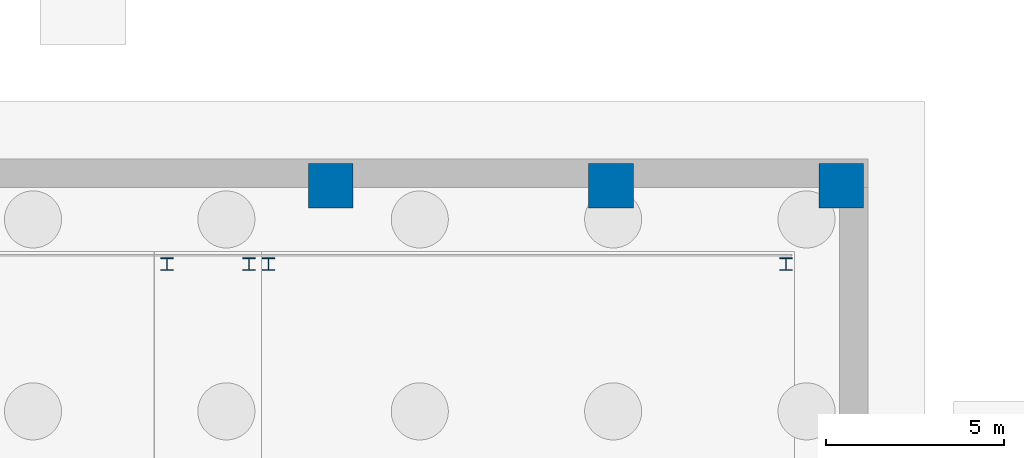
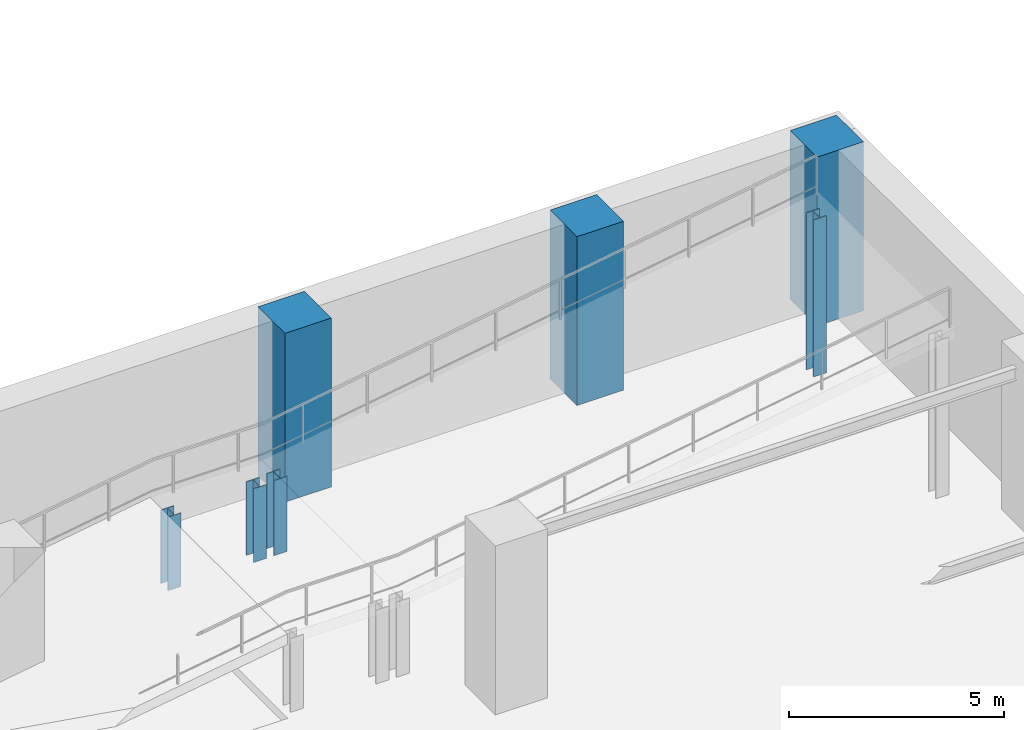
# One storey, part 5 of 13: 7 columns.
"""IFC4 building model written with IfcOpenShell, lengths in metres."""

from ifc_helpers import new_model, si_unit, direction, frame, origin, origin_2d, place, context, subcontext, project, spatial, rectangle, i_section, extrude, material, material_profile, profile_set, type_object, element, save


model = new_model("IFC4")

# Units and contexts
model_context = context("Model", 3, precision=1e-05, world=origin(), true_north=direction((0.0, 1.0)))
body_context = subcontext(model_context, "Body", "Model", "MODEL_VIEW")
ifc_project = project(units=[si_unit("LENGTHUNIT", "METRE"), si_unit("AREAUNIT", "SQUARE_METRE"), si_unit("VOLUMEUNIT", "CUBIC_METRE"), si_unit("PLANEANGLEUNIT", "RADIAN"), si_unit("MASSUNIT", "GRAM", prefix="KILO")], contexts=[model_context])

# Site, building, storey
site_placement = place(None, origin())
site = spatial("IfcSite", under=ifc_project, at=site_placement, CompositionType="ELEMENT")
building_placement = place(site_placement, origin())
building = spatial("IfcBuilding", under=site, at=building_placement, Name="Svetorya Sky Lyceum", CompositionType="ELEMENT")
storey_placement = place(building_placement, frame((0.0, 0.0, -4.800048828125)))
storey = spatial("IfcBuildingStorey", under=building, at=storey_placement, Name="B01", CompositionType="ELEMENT", Elevation=-4.800048828125)

# Columns
ifc_material_1 = material(Name="Concrete C60/75", Category="concrete")
ifc_material_profile_1 = material_profile(ifc_material_1, rectangle(XDim=1.25, YDim=1.25, at=origin_2d()), Name="RC COL 1250x1250")
ifc_profile_set_1 = profile_set([ifc_material_profile_1], Name="Concrete C60/75")
column_type_1 = type_object("IfcColumnType", Name="COL-RC-1250", PredefinedType="COLUMN", material=ifc_profile_set_1)
for number, where, z_axis, x_axis, name in (
    (1, (63.35009765625, 55.64990234375, 0.0), (0.0, 0.0, 1.0), (1.0, 0.0, 0.0), "B01 Podium Column PC-0707"),
    (2, (71.199951171875, 55.64990234375, 0.0), (0.0, 0.0, 1.0), (1.0, 0.0, 0.0), "B01 Podium Column PC-0807"),
    (3, (77.64990234375, 55.64990234375, 0.0), (0.0, 0.0, 1.0), (1.0, 0.0, 0.0), "B01 Podium Column PC-0907"),
):
    element("IfcColumn", number, at=place(storey_placement, frame(where, z_axis=z_axis, x_axis=x_axis)), inside=storey, type_object=column_type_1, Name=name, PredefinedType="COLUMN", context=body_context, shape_type="SweptSolid", body=[
        extrude(rectangle(XDim=1.25, YDim=1.25, at=origin_2d()), origin(), (0.0, 0.0, 1.0), 4.800048828125),
    ])
ifc_material_2 = material(Name="Steel S355", Category="steel")
ifc_material_profile_2 = material_profile(ifc_material_2, i_section(OverallWidth=0.35009765625, OverallDepth=0.35205078125, WebThickness=0.012939453125, FlangeThickness=0.02099609375, at=origin_2d()), Name="GOST 35K2")
ifc_profile_set_2 = profile_set([ifc_material_profile_2], Name="Steel S355")
column_type_2 = type_object("IfcColumnType", Name="COL-STL-35K2", PredefinedType="COLUMN", material=ifc_profile_set_2)
for number, where, z_axis, x_axis, name in (
    (4, (58.75, 53.449951171875, 0.0), (0.0, 0.0, 1.0), (1.0, 0.0, 0.0), "Vehicle Ramp Support Column 1.2"),
    (5, (61.050048828125, 53.449951171875, 0.0), (0.0, 0.0, 1.0), (1.0, 0.0, 0.0), "Vehicle Ramp Support Column 2.2"),
):
    element("IfcColumn", number, at=place(storey_placement, frame(where, z_axis=z_axis, x_axis=x_axis)), inside=storey, type_object=column_type_2, Name=name, PredefinedType="COLUMN", context=body_context, shape_type="SweptSolid", body=[
        extrude(i_section(OverallWidth=0.35009765625, OverallDepth=0.35205078125, WebThickness=0.012939453125, FlangeThickness=0.02099609375, at=origin_2d()), origin(), (0.0, 0.0, 1.0), 2.090087890625),
    ])
column_1_placement = place(storey_placement, frame((61.60009765625, 53.449951171875, 0.0), z_axis=(0.0, 0.0, 1.0), x_axis=(1.0, 0.0, 0.0)))
element("IfcColumn", 6, at=column_1_placement, inside=storey, type_object=column_type_2, Name="Vehicle Ramp Support Column 3.2", PredefinedType="COLUMN", context=body_context, shape_type="SweptSolid", body=[
    extrude(i_section(OverallWidth=0.35009765625, OverallDepth=0.35205078125, WebThickness=0.012939453125, FlangeThickness=0.02099609375, at=origin_2d()), origin(), (0.0, 0.0, 1.0), 2.130126953125),
])
column_2_placement = place(storey_placement, frame((76.10009765625, 53.449951171875, 0.0), z_axis=(0.0, 0.0, 1.0), x_axis=(1.0, 0.0, 0.0)))
element("IfcColumn", 7, at=column_2_placement, inside=storey, type_object=column_type_2, Name="Vehicle Ramp Support Column 4.2", PredefinedType="COLUMN", context=body_context, shape_type="SweptSolid", body=[
    extrude(i_section(OverallWidth=0.35009765625, OverallDepth=0.35205078125, WebThickness=0.012939453125, FlangeThickness=0.02099609375, at=origin_2d()), origin(), (0.0, 0.0, 1.0), 4.4599609375),
])

save(model, "model.ifc")
